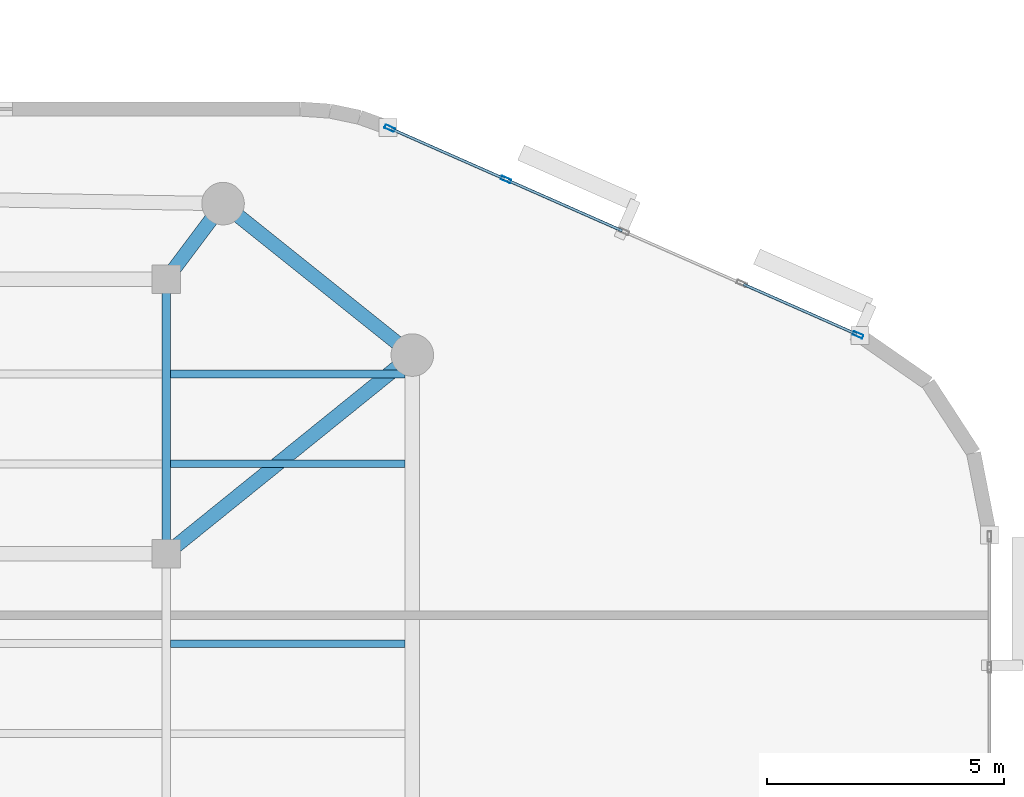
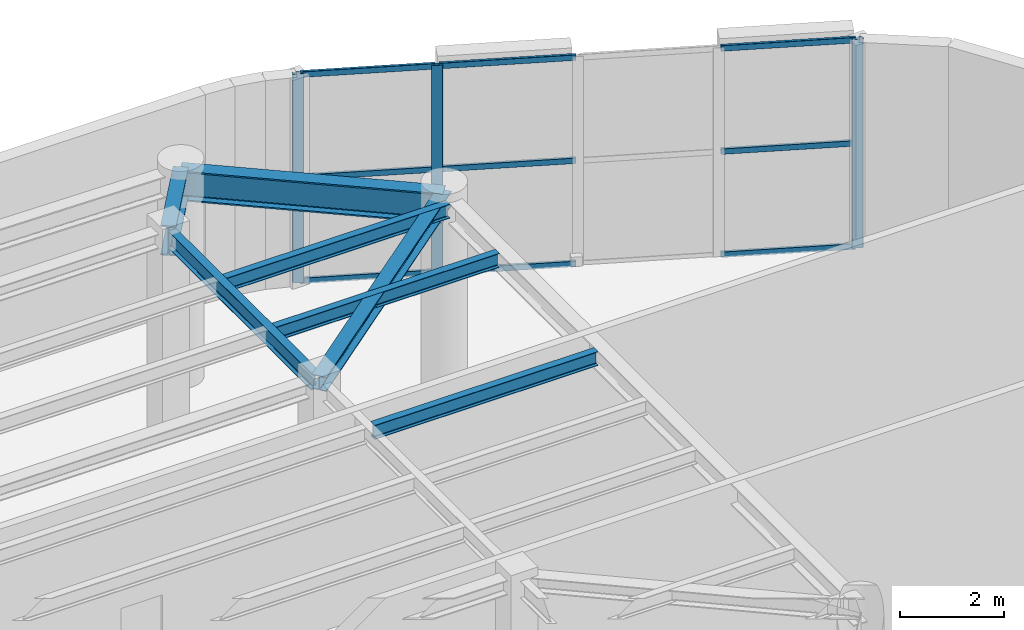
# One storey, part 5 of 12: 12 members, 7 beams, 1 element without a shape of its own.
"""IFC4 building model written with IfcOpenShell, lengths in metres."""

from ifc_helpers import new_model, si_unit, direction, frame, origin, origin_2d, place, context, subcontext, project, spatial, hollow_rectangle, i_section, extrude, material, layer, layer_set, material_profile, profile_set, type_object, element, aggregate, save


model = new_model("IFC4")

# Units and contexts
model_context = context("Model", 3, precision=1e-05, world=origin(), true_north=direction((0.0, 1.0)))
body_context = subcontext(model_context, "Body", "Model", "MODEL_VIEW")
ifc_project = project(units=[si_unit("LENGTHUNIT", "METRE"), si_unit("AREAUNIT", "SQUARE_METRE"), si_unit("VOLUMEUNIT", "CUBIC_METRE"), si_unit("PLANEANGLEUNIT", "RADIAN"), si_unit("MASSUNIT", "GRAM", prefix="KILO")], contexts=[model_context])

# Site, building, storey
site_placement = place(None, origin())
site = spatial("IfcSite", under=ifc_project, at=site_placement, CompositionType="ELEMENT")
building_placement = place(site_placement, origin())
building = spatial("IfcBuilding", under=site, at=building_placement, Name="An Khanh Terracotta Commons", CompositionType="ELEMENT")
storey_placement = place(building_placement, frame((0.0, 0.0, 253.699951171875)))
storey = spatial("IfcBuildingStorey", under=building, at=storey_placement, Name="L66", CompositionType="ELEMENT", Elevation=253.699951171875)

# Beams
ifc_material_1 = material(Name="Steel S355J2", Category="steel")
ifc_material_profile_1 = material_profile(ifc_material_1, i_section(OverallWidth=0.300048828125, OverallDepth=0.340087890625, WebThickness=0.011962890625, FlangeThickness=0.021484375, FilletRadius=0.027099609375, at=origin_2d()), Name="HEB340")
ifc_profile_set_1 = profile_set([ifc_material_profile_1], Name="Steel S355J2")
beam_type_1 = type_object("IfcBeamType", Name="BM-HEB340", PredefinedType="BEAM", material=ifc_profile_set_1)
beam_1_placement = place(storey_placement, frame((63.39990234375, 32.0, 4.72998046875), z_axis=(-0.777941866883, -0.628336256913, 0.0), x_axis=(0.628336256913, -0.777941866883, 0.0)))
element("IfcBeam", 1, at=beam_1_placement, inside=storey, type_object=beam_type_1, Name="L66 Mega-Column Tie Girder 4", PredefinedType="BEAM", context=body_context, shape_type="SweptSolid", body=[
    extrude(i_section(OverallWidth=0.300048828125, OverallDepth=0.340087890625, WebThickness=0.011962890625, FlangeThickness=0.021484375, FilletRadius=0.027099609375, at=origin_2d()), origin(), (0.0, 0.0, 1.0), 6.684326171875),
])
ifc_material_profile_2 = material_profile(ifc_material_1, i_section(OverallWidth=0.300048828125, OverallDepth=0.699951171875, WebThickness=0.01708984375, FlangeThickness=0.031982421875, FilletRadius=0.027099609375, at=origin_2d()), Name="HEB700")
ifc_profile_set_2 = profile_set([ifc_material_profile_2], Name="Steel S355J2")
beam_type_2 = type_object("IfcBeamType", Name="BM-HEB700", PredefinedType="BEAM", material=ifc_profile_set_2)
beam_2_placement = place(storey_placement, frame((63.39990234375, 32.0, 4.550048828125), z_axis=(-0.780873459249, 0.624689235253, 0.0), x_axis=(-0.624689235253, -0.780873459249, 0.0)))
element("IfcBeam", 2, at=beam_2_placement, inside=storey, type_object=beam_type_2, Name="L66 Perimeter Ring Spandrel 4", PredefinedType="BEAM", context=body_context, shape_type="SweptSolid", body=[
    extrude(i_section(OverallWidth=0.300048828125, OverallDepth=0.699951171875, WebThickness=0.01708984375, FlangeThickness=0.031982421875, FilletRadius=0.027099609375, at=origin_2d()), origin(), (0.0, 0.0, 1.0), 5.12255859375),
])
beam_3_placement = place(storey_placement, frame((59.39990234375, 35.199951171875, 4.550048828125), z_axis=(-0.600019532502, -0.799985350251, 0.0), x_axis=(0.799985350251, -0.600019532502, 0.0)))
element("IfcBeam", 3, at=beam_3_placement, inside=storey, type_object=beam_type_2, Name="L66 Mega-Column Tie Girder 5", PredefinedType="BEAM", context=body_context, shape_type="SweptSolid", body=[
    extrude(i_section(OverallWidth=0.300048828125, OverallDepth=0.699951171875, WebThickness=0.01708984375, FlangeThickness=0.031982421875, FilletRadius=0.027099609375, at=origin_2d()), origin(), (0.0, 0.0, 1.0), 1.999755859375),
])
ifc_material_profile_3 = material_profile(ifc_material_1, i_section(OverallWidth=0.159912109375, OverallDepth=0.330078125, WebThickness=0.007568359375, FlangeThickness=0.011474609375, FilletRadius=0.01806640625, at=origin_2d()), Name="IPE330")
ifc_profile_set_3 = profile_set([ifc_material_profile_3], Name="Steel S355J2")
beam_type_3 = type_object("IfcBeamType", Name="BM-IPE330", PredefinedType="JOIST", material=ifc_profile_set_3)
for number, where, z_axis, x_axis, name in (
    (4, (58.2900390625, 25.89990234375, 4.735107421875), (1.0, 0.0, 0.0), (0.0, 1.0, 0.0), "L66 Riverfront Composite Joist 5"),
    (5, (58.2900390625, 29.699951171875, 4.735107421875), (1.0, 0.0, 0.0), (0.0, 1.0, 0.0), "L66 Riverfront Composite Joist 6"),
    (6, (58.2900390625, 31.60009765625, 4.735107421875), (1.0, 0.0, 0.0), (0.0, 1.0, 0.0), "L66 Riverfront Composite Joist 7"),
):
    element("IfcBeam", number, at=place(storey_placement, frame(where, z_axis=z_axis, x_axis=x_axis)), inside=storey, type_object=beam_type_3, Name=name, PredefinedType="JOIST", context=body_context, shape_type="SweptSolid", body=[
        extrude(i_section(OverallWidth=0.159912109375, OverallDepth=0.330078125, WebThickness=0.007568359375, FlangeThickness=0.011474609375, FilletRadius=0.01806640625, at=origin_2d()), origin(), (0.0, 0.0, 1.0), 4.9599609375),
    ])
ifc_material_profile_4 = material_profile(ifc_material_1, i_section(OverallWidth=0.179931640625, OverallDepth=0.39990234375, WebThickness=0.008544921875, FlangeThickness=0.013427734375, FilletRadius=0.02099609375, at=origin_2d()), Name="IPE400")
ifc_profile_set_4 = profile_set([ifc_material_profile_4], Name="Steel S355J2")
beam_type_4 = type_object("IfcBeamType", Name="BM-IPE400", PredefinedType="JOIST", material=ifc_profile_set_4)
beam_4_placement = place(storey_placement, frame((58.199951171875, 27.949951171875, 4.699951171875), z_axis=(0.0, 1.0, 0.0), x_axis=(-1.0, 0.0, 0.0)))
element("IfcBeam", 7, at=beam_4_placement, inside=storey, type_object=beam_type_4, Name="L66 East Spine Girder 3", PredefinedType="JOIST", context=body_context, shape_type="SweptSolid", body=[
    extrude(i_section(OverallWidth=0.179931640625, OverallDepth=0.39990234375, WebThickness=0.008544921875, FlangeThickness=0.013427734375, FilletRadius=0.02099609375, at=origin_2d()), origin(), (0.0, 0.0, 1.0), 5.5),
])

# Curtain wall, members
ifc_material_2 = material(Name="Anodised Aluminium 6063-T6", Category="aluminium")
ifc_layer = layer(ifc_material_2, 0.239990234375, Name="Anodised Aluminium 6063-T6")
ifc_layer_set = layer_set([ifc_layer], Name="Anodised Aluminium 6063-T6")
curtain_wall_type = type_object("IfcCurtainWallType", Name="CW-SYS-04", PredefinedType="USERDEFINED", material=ifc_layer_set)
curtain_wall_placement = place(storey_placement, origin())
curtain_wall = element("IfcCurtainWall", 8, at=curtain_wall_placement, inside=storey, type_object=curtain_wall_type, Name="L66 CW-04 Unitised Curtain Wall CW-L66-16", ObjectType="UNITISED CURTAIN WALL", PredefinedType="USERDEFINED")
ifc_material_profile_5 = material_profile(ifc_material_2, hollow_rectangle(XDim=0.080078125, YDim=0.219970703125, WallThickness=0.0048828125, InnerFilletRadius=0.0048828125, OuterFilletRadius=0.010009765625, at=origin_2d()), Name="RHS220x80x5")
ifc_profile_set_5 = profile_set([ifc_material_profile_5], Name="Anodised Aluminium 6063-T6")
member_type_1 = type_object("IfcMemberType", Name="CWM-RHS220x80x5", PredefinedType="MULLION", material=ifc_profile_set_5)
member_1_placement = place(storey_placement, frame((72.8203125, 32.426025390625, 0.0), z_axis=(0.0, 0.0, 1.0), x_axis=(-0.403676354285, -0.914901853201, 0.0)))
member_1 = element("IfcMember", 9, at=member_1_placement, type_object=member_type_1, Name="CW-04 mullion 1", PredefinedType="MULLION", context=body_context, shape_type="SweptSolid", body=[
    extrude(hollow_rectangle(XDim=0.080078125, YDim=0.219970703125, WallThickness=0.0048828125, InnerFilletRadius=0.0048828125, OuterFilletRadius=0.010009765625, at=origin_2d()), origin(), (0.0, 0.0, 1.0), 4.900146484375),
])
member_2_placement = place(storey_placement, frame((65.37939453125, 35.709228515625, 0.0), z_axis=(0.0, 0.0, 1.0), x_axis=(-0.403676354285, -0.914901853201, 0.0)))
member_2 = element("IfcMember", 10, at=member_2_placement, type_object=member_type_1, Name="CW-04 mullion 4", PredefinedType="MULLION", context=body_context, shape_type="SweptSolid", body=[
    extrude(hollow_rectangle(XDim=0.080078125, YDim=0.219970703125, WallThickness=0.0048828125, InnerFilletRadius=0.0048828125, OuterFilletRadius=0.010009765625, at=origin_2d()), origin(), (0.0, 0.0, 1.0), 4.900146484375),
])
member_3_placement = place(storey_placement, frame((62.923583984375, 36.79296875, 0.0), z_axis=(0.0, 0.0, 1.0), x_axis=(-0.403676354285, -0.914901853201, 0.0)))
member_3 = element("IfcMember", 11, at=member_3_placement, type_object=member_type_1, Name="CW-04 mullion 5", PredefinedType="MULLION", context=body_context, shape_type="SweptSolid", body=[
    extrude(hollow_rectangle(XDim=0.080078125, YDim=0.219970703125, WallThickness=0.0048828125, InnerFilletRadius=0.0048828125, OuterFilletRadius=0.010009765625, at=origin_2d()), origin(), (0.0, 0.0, 1.0), 4.900146484375),
])
ifc_material_profile_6 = material_profile(ifc_material_2, hollow_rectangle(XDim=0.06005859375, YDim=0.135009765625, WallThickness=0.003662109375, InnerFilletRadius=0.003662109375, OuterFilletRadius=0.007080078125, at=origin_2d()), Name="RHS135x60x3.6")
ifc_profile_set_6 = profile_set([ifc_material_profile_6], Name="Anodised Aluminium 6063-T6")
member_type_2 = type_object("IfcMemberType", Name="CWT-RHS135x60x3.6", PredefinedType="USERDEFINED", material=ifc_profile_set_6)
member_4_placement = place(storey_placement, frame((72.78369140625, 32.4423828125, 0.030029296875), z_axis=(-0.914898453294, 0.40368405983, 0.0), x_axis=(-0.40368405983, -0.914898453294, 0.0)))
member_4 = element("IfcMember", 12, at=member_4_placement, type_object=member_type_2, Name="CW-04 transom 1.1", ObjectType="TRANSOM", PredefinedType="USERDEFINED", context=body_context, shape_type="SweptSolid", body=[
    extrude(hollow_rectangle(XDim=0.06005859375, YDim=0.135009765625, WallThickness=0.003662109375, InnerFilletRadius=0.003662109375, OuterFilletRadius=0.007080078125, at=origin_2d()), origin(), (0.0, 0.0, 1.0), 2.604248046875),
])
member_5_placement = place(storey_placement, frame((72.78369140625, 32.4423828125, 2.449951171875), z_axis=(-0.914898453294, 0.40368405983, 0.0), x_axis=(-0.40368405983, -0.914898453294, 0.0)))
member_5 = element("IfcMember", 13, at=member_5_placement, type_object=member_type_2, Name="CW-04 transom 1.2", ObjectType="TRANSOM", PredefinedType="USERDEFINED", context=body_context, shape_type="SweptSolid", body=[
    extrude(hollow_rectangle(XDim=0.06005859375, YDim=0.135009765625, WallThickness=0.003662109375, InnerFilletRadius=0.003662109375, OuterFilletRadius=0.007080078125, at=origin_2d()), origin(), (0.0, 0.0, 1.0), 2.604248046875),
])
member_6_placement = place(storey_placement, frame((72.78369140625, 32.4423828125, 4.8701171875), z_axis=(-0.914898453294, 0.40368405983, 0.0), x_axis=(-0.40368405983, -0.914898453294, 0.0)))
member_6 = element("IfcMember", 14, at=member_6_placement, type_object=member_type_2, Name="CW-04 transom 1.3", ObjectType="TRANSOM", PredefinedType="USERDEFINED", context=body_context, shape_type="SweptSolid", body=[
    extrude(hollow_rectangle(XDim=0.06005859375, YDim=0.135009765625, WallThickness=0.003662109375, InnerFilletRadius=0.003662109375, OuterFilletRadius=0.007080078125, at=origin_2d()), origin(), (0.0, 0.0, 1.0), 2.604248046875),
])
member_7_placement = place(storey_placement, frame((67.83544921875, 34.625732421875, 0.030029296875), z_axis=(-0.914919807128, 0.403635660622, 0.0), x_axis=(-0.403635660622, -0.914919807128, 0.0)))
member_7 = element("IfcMember", 15, at=member_7_placement, type_object=member_type_2, Name="CW-04 transom 3.1", ObjectType="TRANSOM", PredefinedType="USERDEFINED", context=body_context, shape_type="SweptSolid", body=[
    extrude(hollow_rectangle(XDim=0.06005859375, YDim=0.135009765625, WallThickness=0.003662109375, InnerFilletRadius=0.003662109375, OuterFilletRadius=0.007080078125, at=origin_2d()), origin(), (0.0, 0.0, 1.0), 2.64453125),
])
member_8_placement = place(storey_placement, frame((67.83544921875, 34.625732421875, 2.449951171875), z_axis=(-0.914919807128, 0.403635660622, 0.0), x_axis=(-0.403635660622, -0.914919807128, 0.0)))
member_8 = element("IfcMember", 16, at=member_8_placement, type_object=member_type_2, Name="CW-04 transom 3.2", ObjectType="TRANSOM", PredefinedType="USERDEFINED", context=body_context, shape_type="SweptSolid", body=[
    extrude(hollow_rectangle(XDim=0.06005859375, YDim=0.135009765625, WallThickness=0.003662109375, InnerFilletRadius=0.003662109375, OuterFilletRadius=0.007080078125, at=origin_2d()), origin(), (0.0, 0.0, 1.0), 2.64453125),
])
member_9_placement = place(storey_placement, frame((67.83544921875, 34.625732421875, 4.8701171875), z_axis=(-0.914919807128, 0.403635660622, 0.0), x_axis=(-0.403635660622, -0.914919807128, 0.0)))
member_9 = element("IfcMember", 17, at=member_9_placement, type_object=member_type_2, Name="CW-04 transom 3.3", ObjectType="TRANSOM", PredefinedType="USERDEFINED", context=body_context, shape_type="SweptSolid", body=[
    extrude(hollow_rectangle(XDim=0.06005859375, YDim=0.135009765625, WallThickness=0.003662109375, InnerFilletRadius=0.003662109375, OuterFilletRadius=0.007080078125, at=origin_2d()), origin(), (0.0, 0.0, 1.0), 2.64453125),
])
member_10_placement = place(storey_placement, frame((65.343017578125, 35.725341796875, 0.030029296875), z_axis=(-0.914913728775, 0.403649438126, 0.0), x_axis=(-0.403649438126, -0.914913728775, 0.0)))
member_10 = element("IfcMember", 18, at=member_10_placement, type_object=member_type_2, Name="CW-04 transom 4.1", ObjectType="TRANSOM", PredefinedType="USERDEFINED", context=body_context, shape_type="SweptSolid", body=[
    extrude(hollow_rectangle(XDim=0.06005859375, YDim=0.135009765625, WallThickness=0.003662109375, InnerFilletRadius=0.003662109375, OuterFilletRadius=0.007080078125, at=origin_2d()), origin(), (0.0, 0.0, 1.0), 2.6044921875),
])
member_11_placement = place(storey_placement, frame((65.343017578125, 35.725341796875, 2.449951171875), z_axis=(-0.914913728775, 0.403649438126, 0.0), x_axis=(-0.403649438126, -0.914913728775, 0.0)))
member_11 = element("IfcMember", 19, at=member_11_placement, type_object=member_type_2, Name="CW-04 transom 4.2", ObjectType="TRANSOM", PredefinedType="USERDEFINED", context=body_context, shape_type="SweptSolid", body=[
    extrude(hollow_rectangle(XDim=0.06005859375, YDim=0.135009765625, WallThickness=0.003662109375, InnerFilletRadius=0.003662109375, OuterFilletRadius=0.007080078125, at=origin_2d()), origin(), (0.0, 0.0, 1.0), 2.6044921875),
])
member_12_placement = place(storey_placement, frame((65.343017578125, 35.725341796875, 4.8701171875), z_axis=(-0.914913728775, 0.403649438126, 0.0), x_axis=(-0.403649438126, -0.914913728775, 0.0)))
member_12 = element("IfcMember", 20, at=member_12_placement, type_object=member_type_2, Name="CW-04 transom 4.3", ObjectType="TRANSOM", PredefinedType="USERDEFINED", context=body_context, shape_type="SweptSolid", body=[
    extrude(hollow_rectangle(XDim=0.06005859375, YDim=0.135009765625, WallThickness=0.003662109375, InnerFilletRadius=0.003662109375, OuterFilletRadius=0.007080078125, at=origin_2d()), origin(), (0.0, 0.0, 1.0), 2.6044921875),
])
aggregate(curtain_wall, [member_1, member_2, member_3, member_4, member_5, member_6, member_7, member_8, member_9, member_10, member_11, member_12])

save(model, "model.ifc")
